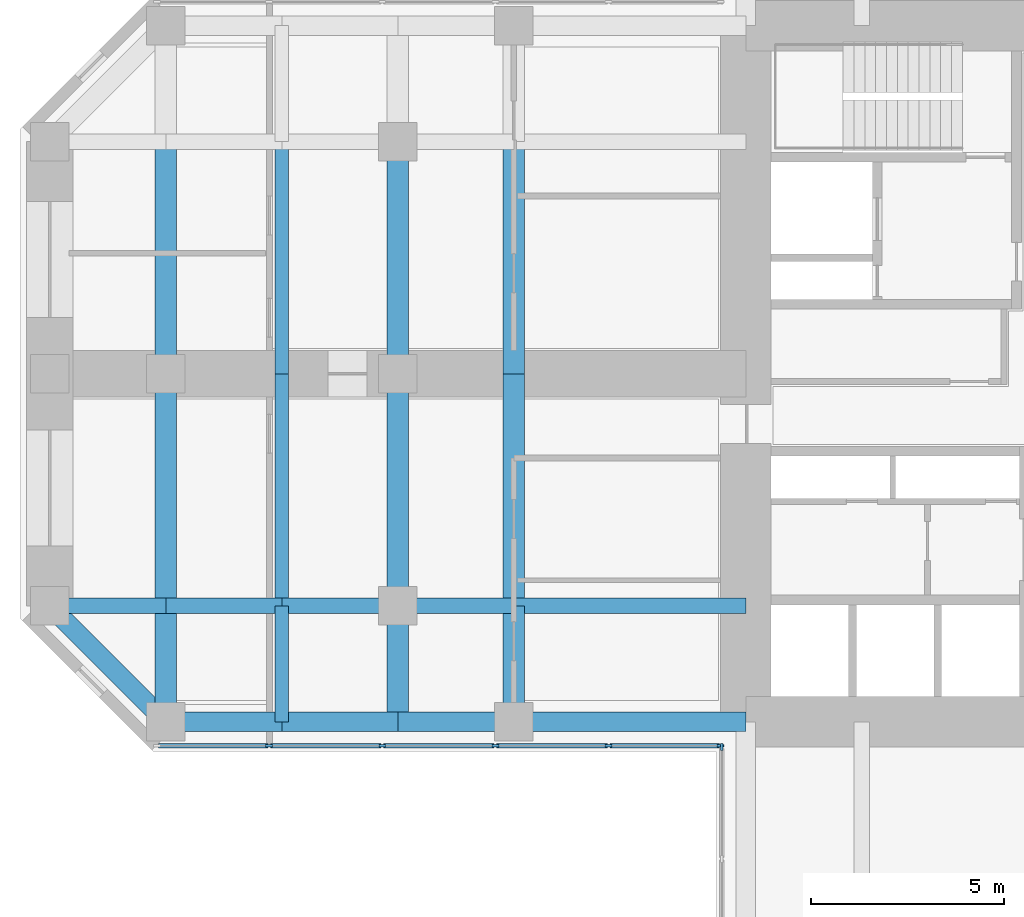
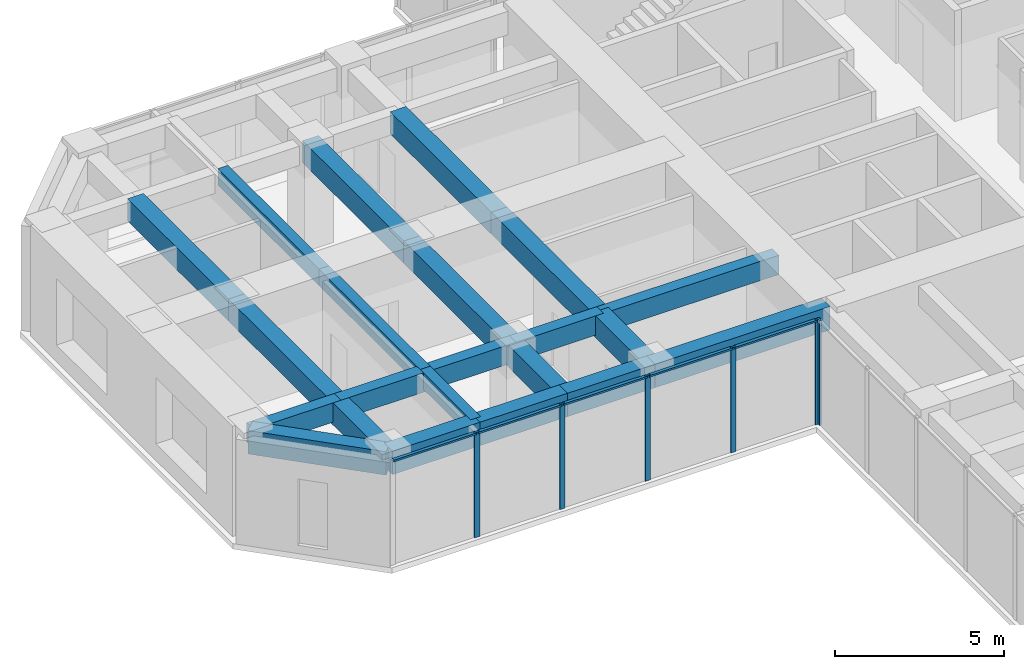
# One storey, part 3 of 13: 22 beams, 11 members, 2 elements without a shape of their own.
"""IFC4 building model written with IfcOpenShell, lengths in metres."""

import ifcopenshell
import ifcopenshell.guid

model = None  # the IFC model being written
_history = None  # IfcOwnerHistory: only IFC2X3 demands one
_inside = {}  # id of a spatial element -> (the spatial element, [elements in it])
_under = {}  # id of a project, library or spatial element -> (it, [spatial elements below it])
_declared = {}  # id of a project -> (the project, [libraries it declares])
_typed = {}  # id of a type object -> (the type object, [elements of that type])
_made_of = {}  # id of a material, layer set ... -> (it, [elements and type objects made of it])


def new_model(schema):
    """Start an empty IFC model of exactly this schema.

    Asked for "IFC4X3", IfcOpenShell would pick the latest addendum, in which some entities
    have other attributes; the version numbers below select the first issue.
    IFC2X3 requires an IfcOwnerHistory on every rooted entity: one is made here for all.
    """
    global model, _history
    if schema == "IFC4X3":
        model = ifcopenshell.file(schema_version=(4, 3, 0, 0))
    else:
        model = ifcopenshell.file(schema=schema)
    _inside.clear()
    _under.clear()
    _declared.clear()
    _typed.clear()
    _made_of.clear()
    _history = None
    if model.schema == "IFC2X3":
        org = make("IfcOrganization", Name="unknown")
        user = make(
            "IfcPersonAndOrganization",
            ThePerson=make("IfcPerson", FamilyName="unknown"),
            TheOrganization=org,
        )
        app = make(
            "IfcApplication",
            ApplicationDeveloper=org,
            Version="unknown",
            ApplicationFullName="unknown",
            ApplicationIdentifier="unknown",
        )
        _history = make(
            "IfcOwnerHistory",
            OwningUser=user,
            OwningApplication=app,
            ChangeAction="ADDED",
            CreationDate=0,
        )
    return model


def make(cls, **values):
    """One entity of the class cls with the attributes given. An attribute that is None is left unset."""
    return model.create_entity(
        cls, **{name: value for name, value in values.items() if value is not None}
    )


def rooted(cls, **values):
    """An entity with a GlobalId (a new one), such as an element, a storey or a relation."""
    return make(cls, GlobalId=ifcopenshell.guid.new(), OwnerHistory=_history, **values)


def si_unit(unit_type, name, prefix=None):
    """IfcSIUnit, for example si_unit("LENGTHUNIT", "METRE", prefix="MILLI")."""
    return make("IfcSIUnit", UnitType=unit_type, Prefix=prefix, Name=name)


def assignment(units):
    """IfcUnitAssignment: the units of a project."""
    return None if units is None else make("IfcUnitAssignment", Units=units)


def point(xyz):
    """IfcCartesianPoint."""
    return None if xyz is None else make("IfcCartesianPoint", Coordinates=xyz)


def direction(xyz):
    """IfcDirection."""
    return None if xyz is None else make("IfcDirection", DirectionRatios=xyz)


def frame(location, z_axis=None, x_axis=None):
    """IfcAxis2Placement3D, a coordinate frame: its origin and axes. An axis left out is left unset."""
    return make(
        "IfcAxis2Placement3D",
        Location=point(location),
        Axis=direction(z_axis),
        RefDirection=direction(x_axis),
    )


def frame_2d(location, x_axis=None):
    """IfcAxis2Placement2D, a coordinate frame in the plane: its origin and x axis."""
    return make(
        "IfcAxis2Placement2D", Location=point(location), RefDirection=direction(x_axis)
    )


def origin():
    """The frame at (0, 0, 0) with its axes left unset."""
    return frame((0.0, 0.0, 0.0))


def origin_2d():
    """The frame at (0, 0) in the plane with its x axis left unset."""
    return frame_2d((0.0, 0.0))


def place(relative_to, where):
    """IfcLocalPlacement: puts the frame where relative to a parent placement (None: the world)."""
    return make(
        "IfcLocalPlacement", PlacementRelTo=relative_to, RelativePlacement=where
    )


def context(
    kind, dimensions, precision=None, world=None, true_north=None, identifier=None
):
    """IfcGeometricRepresentationContext, for example the 3D "Model" context."""
    return make(
        "IfcGeometricRepresentationContext",
        ContextIdentifier=identifier,
        ContextType=kind,
        CoordinateSpaceDimension=dimensions,
        Precision=precision,
        WorldCoordinateSystem=world,
        TrueNorth=true_north,
    )


def subcontext(parent, identifier, kind, view, scale=None):
    """IfcGeometricRepresentationSubContext, for example "Body" below "Model"."""
    return make(
        "IfcGeometricRepresentationSubContext",
        ContextIdentifier=identifier,
        ContextType=kind,
        ParentContext=parent,
        TargetScale=scale,
        TargetView=view,
    )


def project(units=None, contexts=None):
    """IfcProject with its units and contexts."""
    return rooted(
        "IfcProject",
        Name="project",
        RepresentationContexts=contexts,
        UnitsInContext=assignment(units),
    )


def spatial(cls, under=None, at=None, **own):
    """A site, building, storey or space (cls), placed at a placement, below another one or the project."""
    s = rooted(cls, ObjectPlacement=at, **own)
    if under is not None:
        _under.setdefault(under.id(), (under, []))[1].append(s)
    return s


def profile(cls, at=None, kind="AREA", **sizes):
    """A parametric profile (cls). Its sizes go by their IFC names, for example OverallWidth=200.0."""
    return make(cls, ProfileType=kind, Position=at, **sizes)


def rectangle(**sizes):
    """IfcRectangleProfileDef."""
    return profile("IfcRectangleProfileDef", **sizes)


def extrude(swept, where, along, depth):
    """IfcExtrudedAreaSolid: the profile swept, set in the frame where, extruded along a direction by depth."""
    return make(
        "IfcExtrudedAreaSolid",
        SweptArea=swept,
        Position=where,
        ExtrudedDirection=direction(along),
        Depth=depth,
    )


def shape(context_of_items, identifier, shape_type, items):
    """IfcShapeRepresentation: the items that make up one representation, for example the "Body"."""
    return make(
        "IfcShapeRepresentation",
        ContextOfItems=context_of_items,
        RepresentationIdentifier=identifier,
        RepresentationType=shape_type,
        Items=items,
    )


def material(Name=None, Category=None):
    """IfcMaterial."""
    return make("IfcMaterial", Name=Name, Category=Category)


def material_profile(
    of_material, cross_section, Name=None, Category=None, Priority=None
):
    """IfcMaterialProfile: a cross section and its material."""
    return make(
        "IfcMaterialProfile",
        Name=Name,
        Material=of_material,
        Profile=cross_section,
        Priority=Priority,
        Category=Category,
    )


def profile_set(profiles, Name=None, composite=None):
    """IfcMaterialProfileSet."""
    return make(
        "IfcMaterialProfileSet",
        Name=Name,
        MaterialProfiles=profiles,
        CompositeProfile=composite,
    )


def made_of(thing, what):
    """Note that an element or type object is made of a material, layer set ...; save() writes the relation."""
    if what is not None:
        _made_of.setdefault(what.id(), (what, []))[1].append(thing)
    return thing


def type_object(cls, material=None, **own):
    """A type object (cls), such as IfcWallType, which elements share."""
    return made_of(rooted(cls, **own), material)


def element(
    cls,
    number,
    at=None,
    inside=None,
    cuts=None,
    type_object=None,
    material=None,
    context=None,
    identifier="Body",
    shape_type=None,
    held_by="IfcProductDefinitionShape",
    body=None,
    shapes=None,
    **own,
):
    """One element of the class cls, such as IfcWall. Its Tag is "e" and its number.

    at: its placement. inside: the storey or other place that contains it. cuts: it is an
    opening in that element (IfcRelVoidsElement). A single representation is given by context,
    identifier, shape_type and body (its items); several are given by shapes. held_by: the class
    of the entity that holds the representations. save() writes the other relations.
    """
    e = rooted(cls, Tag="e%d" % number, ObjectPlacement=at, **own)
    if body is not None:
        shapes = [shape(context, identifier, shape_type, body)]
    if shapes is not None:
        e.Representation = make(held_by, Representations=shapes)
    if inside is not None:
        _inside.setdefault(inside.id(), (inside, []))[1].append(e)
    if cuts is not None:
        rooted(
            "IfcRelVoidsElement", RelatingBuildingElement=cuts, RelatedOpeningElement=e
        )
    if type_object is not None:
        _typed.setdefault(type_object.id(), (type_object, []))[1].append(e)
    return made_of(e, material)


def aggregate(whole, parts):
    """IfcRelAggregates: a whole, such as a stair, and the parts it consists of."""
    return rooted("IfcRelAggregates", RelatingObject=whole, RelatedObjects=parts)


def save(model, path):
    """Write the relations noted so far, then the file.

    IfcRelAggregates (storeys below a building ...), IfcRelContainedInSpatialStructure (elements
    in a storey), IfcRelDefinesByType, IfcRelAssociatesMaterial and IfcRelDeclares: one each for
    every whole, place, type object, material and project.
    """
    for whole, parts in _under.values():
        aggregate(whole, parts)
    for where, things in _inside.values():
        rooted(
            "IfcRelContainedInSpatialStructure",
            RelatedElements=things,
            RelatingStructure=where,
        )
    for kind, things in _typed.values():
        rooted("IfcRelDefinesByType", RelatedObjects=things, RelatingType=kind)
    for what, things in _made_of.values():
        rooted("IfcRelAssociatesMaterial", RelatedObjects=things, RelatingMaterial=what)
    for by, libraries in _declared.values():
        rooted("IfcRelDeclares", RelatingContext=by, RelatedDefinitions=libraries)
    model.write(path)


model = new_model("IFC4")

# Units and contexts
model_context = context("Model", 3, precision=1e-05, world=origin(), true_north=direction((0.0, 1.0)))
body_context = subcontext(model_context, "Body", "Model", "MODEL_VIEW")
ifc_project = project(units=[si_unit("LENGTHUNIT", "METRE"), si_unit("AREAUNIT", "SQUARE_METRE"), si_unit("VOLUMEUNIT", "CUBIC_METRE"), si_unit("PLANEANGLEUNIT", "RADIAN"), si_unit("MASSUNIT", "GRAM", prefix="KILO")], contexts=[model_context])

# Site, building, storey
site_placement = place(None, origin())
site = spatial("IfcSite", under=ifc_project, at=site_placement, CompositionType="ELEMENT")
building_placement = place(site_placement, origin())
building = spatial("IfcBuilding", under=site, at=building_placement, Name="Torre Cruceta", CompositionType="ELEMENT")
storey_placement = place(building_placement, frame((0.0, 0.0, 132.5)))
storey = spatial("IfcBuildingStorey", under=building, at=storey_placement, Name="L32", CompositionType="ELEMENT", Elevation=132.5)

# Beams
ifc_material_1 = material(Name="Concrete G60 (fck 60 MPa)", Category="concrete")
ifc_material_profile_1 = material_profile(ifc_material_1, rectangle(XDim=0.39990234375, YDim=0.699951171875, at=origin_2d()), Name="RC 400X700")
ifc_profile_set_1 = profile_set([ifc_material_profile_1], Name="Concrete G60 (fck 60 MPa)")
beam_type_1 = type_object("IfcBeamType", Name="COLUMN LINE BEAM RC 400X700", PredefinedType="BEAM", material=ifc_profile_set_1)
beam_1_placement = place(storey_placement, frame((-9.0, -6.0, 3.449951171875), z_axis=(-1.0, 0.0, 0.0), x_axis=(0.0, -1.0, 0.0)))
element("IfcBeam", 1, at=beam_1_placement, inside=storey, type_object=beam_type_1, Name="LB5 L32 W col+ 1", PredefinedType="BEAM", context=body_context, shape_type="SweptSolid", body=[
    extrude(rectangle(XDim=0.39990234375, YDim=0.699951171875, at=origin_2d()), origin(), (0.0, 0.0, 1.0), 6.0),
])
for number, where, z_axis, x_axis, name in (
    (2, (-15.0, -6.0, 3.449951171875), (-1.0, 0.0, 0.0), (0.0, -1.0, 0.0), "LB5 L32 W col+ 2"),
    (3, (-18.0, -6.0, 3.449951171875), (-1.0, 0.0, 0.0), (0.0, -1.0, 0.0), "LB5 L32 W col+ 3"),
    (4, (-21.0, -6.0, 3.449951171875), (-1.0, 0.0, 0.0), (0.0, -1.0, 0.0), "LB5 L32 W col+ 4"),
    (5, (-24.0, -6.0, 3.449951171875), (-1.0, 0.0, 0.0), (0.0, -1.0, 0.0), "LB5 L32 W col+ 5"),
):
    element("IfcBeam", number, at=place(storey_placement, frame(where, z_axis=z_axis, x_axis=x_axis)), inside=storey, type_object=beam_type_1, Name=name, PredefinedType="BEAM", context=body_context, shape_type="SweptSolid", body=[
        extrude(rectangle(XDim=0.39990234375, YDim=0.699951171875, at=origin_2d()), origin(), (0.0, 0.0, 1.0), 3.0),
    ])
ifc_material_2 = material(Name="Concrete G60 (fck 60 MPa)", Category="concrete")
ifc_material_profile_2 = material_profile(ifc_material_2, rectangle(XDim=0.550048828125, YDim=0.800048828125, at=origin_2d()), Name="RC 550X800")
ifc_profile_set_2 = profile_set([ifc_material_profile_2], Name="Concrete G60 (fck 60 MPa)")
beam_type_2 = type_object("IfcBeamType", Name="CROSS BEAM RC 550X800", PredefinedType="BEAM", material=ifc_profile_set_2)
for number, where, z_axis, x_axis, name in (
    (6, (-15.0, 6.0, 3.39990234375), (0.0, -1.0, 0.0), (1.0, 0.0, 0.0), "GB5 L32 W cross15 2"),
    (7, (-15.0, 0.0, 3.39990234375), (0.0, -1.0, 0.0), (1.0, 0.0, 0.0), "GB5 L32 W cross15 3"),
):
    element("IfcBeam", number, at=place(storey_placement, frame(where, z_axis=z_axis, x_axis=x_axis)), inside=storey, type_object=beam_type_2, Name=name, PredefinedType="BEAM", context=body_context, shape_type="SweptSolid", body=[
        extrude(rectangle(XDim=0.550048828125, YDim=0.800048828125, at=origin_2d()), origin(), (0.0, 0.0, 1.0), 6.0),
    ])
beam_2_placement = place(storey_placement, frame((-15.0, -6.0, 3.39990234375), z_axis=(0.0, -1.0, 0.0), x_axis=(1.0, 0.0, 0.0)))
element("IfcBeam", 8, at=beam_2_placement, inside=storey, type_object=beam_type_2, Name="GB5 L32 W cross15 4", PredefinedType="BEAM", context=body_context, shape_type="SweptSolid", body=[
    extrude(rectangle(XDim=0.550048828125, YDim=0.800048828125, at=origin_2d()), origin(), (0.0, 0.0, 1.0), 3.0),
])
for number, where, z_axis, x_axis, name in (
    (9, (-18.0, 6.0, 3.39990234375), (0.0, -1.0, 0.0), (1.0, 0.0, 0.0), "GB5 L32 W cross18 2"),
    (10, (-18.0, 0.0, 3.39990234375), (0.0, -1.0, 0.0), (1.0, 0.0, 0.0), "GB5 L32 W cross18 3"),
):
    element("IfcBeam", number, at=place(storey_placement, frame(where, z_axis=z_axis, x_axis=x_axis)), inside=storey, type_object=beam_type_2, Name=name, PredefinedType="BEAM", context=body_context, shape_type="SweptSolid", body=[
        extrude(rectangle(XDim=0.550048828125, YDim=0.800048828125, at=origin_2d()), origin(), (0.0, 0.0, 1.0), 6.0),
    ])
beam_3_placement = place(storey_placement, frame((-18.0, -6.0, 3.39990234375), z_axis=(0.0, -1.0, 0.0), x_axis=(1.0, 0.0, 0.0)))
element("IfcBeam", 11, at=beam_3_placement, inside=storey, type_object=beam_type_2, Name="GB5 L32 W cross18 4", PredefinedType="BEAM", context=body_context, shape_type="SweptSolid", body=[
    extrude(rectangle(XDim=0.550048828125, YDim=0.800048828125, at=origin_2d()), origin(), (0.0, 0.0, 1.0), 3.0),
])
for number, where, z_axis, x_axis, name in (
    (12, (-24.0, 6.0, 3.39990234375), (0.0, -1.0, 0.0), (1.0, 0.0, 0.0), "GB5 L32 W cross24 2"),
    (13, (-24.0, 0.0, 3.39990234375), (0.0, -1.0, 0.0), (1.0, 0.0, 0.0), "GB5 L32 W cross24 3"),
):
    element("IfcBeam", number, at=place(storey_placement, frame(where, z_axis=z_axis, x_axis=x_axis)), inside=storey, type_object=beam_type_2, Name=name, PredefinedType="BEAM", context=body_context, shape_type="SweptSolid", body=[
        extrude(rectangle(XDim=0.550048828125, YDim=0.800048828125, at=origin_2d()), origin(), (0.0, 0.0, 1.0), 6.0),
    ])
beam_4_placement = place(storey_placement, frame((-24.0, -6.0, 3.39990234375), z_axis=(0.0, -1.0, 0.0), x_axis=(1.0, 0.0, 0.0)))
element("IfcBeam", 14, at=beam_4_placement, inside=storey, type_object=beam_type_2, Name="GB5 L32 W cross24 4", PredefinedType="BEAM", context=body_context, shape_type="SweptSolid", body=[
    extrude(rectangle(XDim=0.550048828125, YDim=0.800048828125, at=origin_2d()), origin(), (0.0, 0.0, 1.0), 3.0),
])

# Curtain wall, members
ifc_material_3 = material(Name="Aluminium unitised curtain wall", Category="aluminium")
curtain_wall_type = type_object("IfcCurtainWallType", Name="CURTAIN WALL CW-B OFFICE MID RISE", PredefinedType="USERDEFINED", material=ifc_material_3)
curtain_wall_1_placement = place(storey_placement, origin())
curtain_wall_1 = element("IfcCurtainWall", 15, at=curtain_wall_1_placement, inside=storey, type_object=curtain_wall_type, Name="CW-B L32 W side 14", ObjectType="UNITISED", PredefinedType="USERDEFINED")
ifc_material_4 = material(Name="Aluminium mullion", Category="aluminium")
ifc_material_profile_3 = material_profile(ifc_material_4, rectangle(XDim=0.06494140625, YDim=0.179931640625, at=origin_2d()), Name="AL 65X180")
ifc_profile_set_3 = profile_set([ifc_material_profile_3], Name="Aluminium mullion")
member_type_1 = type_object("IfcMemberType", Name="CW-B MULLION 65X180", PredefinedType="MULLION", material=ifc_profile_set_3)
member_1_placement = place(storey_placement, frame((-21.329345703125, -9.6201171875, 0.0), z_axis=(0.0, 0.0, 1.0), x_axis=(0.0, 1.0, 0.0)))
member_1 = element("IfcMember", 16, at=member_1_placement, type_object=member_type_1, Name="CW-B mullion 2", PredefinedType="MULLION", context=body_context, shape_type="SweptSolid", body=[
    extrude(rectangle(XDim=0.06494140625, YDim=0.179931640625, at=origin_2d()), origin(), (0.0, 0.0, 1.0), 3.800048828125),
])
member_2_placement = place(storey_placement, frame((-18.402099609375, -9.6201171875, 0.0), z_axis=(0.0, 0.0, 1.0), x_axis=(0.0, 1.0, 0.0)))
member_2 = element("IfcMember", 17, at=member_2_placement, type_object=member_type_1, Name="CW-B mullion 3", PredefinedType="MULLION", context=body_context, shape_type="SweptSolid", body=[
    extrude(rectangle(XDim=0.06494140625, YDim=0.179931640625, at=origin_2d()), origin(), (0.0, 0.0, 1.0), 3.800048828125),
])
member_3_placement = place(storey_placement, frame((-15.474609375, -9.6201171875, 0.0), z_axis=(0.0, 0.0, 1.0), x_axis=(0.0, 1.0, 0.0)))
member_3 = element("IfcMember", 18, at=member_3_placement, type_object=member_type_1, Name="CW-B mullion 4", PredefinedType="MULLION", context=body_context, shape_type="SweptSolid", body=[
    extrude(rectangle(XDim=0.06494140625, YDim=0.179931640625, at=origin_2d()), origin(), (0.0, 0.0, 1.0), 3.800048828125),
])
member_4_placement = place(storey_placement, frame((-12.54736328125, -9.6201171875, 0.0), z_axis=(0.0, 0.0, 1.0), x_axis=(0.0, 1.0, 0.0)))
member_4 = element("IfcMember", 19, at=member_4_placement, type_object=member_type_1, Name="CW-B mullion 5", PredefinedType="MULLION", context=body_context, shape_type="SweptSolid", body=[
    extrude(rectangle(XDim=0.06494140625, YDim=0.179931640625, at=origin_2d()), origin(), (0.0, 0.0, 1.0), 3.800048828125),
])
member_5_placement = place(storey_placement, frame((-9.652587890625, -9.6201171875, 0.0), z_axis=(0.0, 0.0, 1.0), x_axis=(0.0, 1.0, 0.0)))
member_5 = element("IfcMember", 20, at=member_5_placement, type_object=member_type_1, Name="CW-B mullion 6", PredefinedType="MULLION", context=body_context, shape_type="SweptSolid", body=[
    extrude(rectangle(XDim=0.06494140625, YDim=0.179931640625, at=origin_2d()), origin(), (0.0, 0.0, 1.0), 3.800048828125),
])

# Curtain wall, member
curtain_wall_2_placement = place(storey_placement, origin())
curtain_wall_2 = element("IfcCurtainWall", 21, at=curtain_wall_2_placement, inside=storey, type_object=curtain_wall_type, Name="CW-B L32 S side 15", ObjectType="UNITISED", PredefinedType="USERDEFINED")
member_6_placement = place(storey_placement, frame((-9.6201171875, -9.652587890625, 0.0), z_axis=(0.0, 0.0, 1.0), x_axis=(1.0, 0.0, 0.0)))
member_6 = element("IfcMember", 22, at=member_6_placement, type_object=member_type_1, Name="CW-B mullion 1", PredefinedType="MULLION", context=body_context, shape_type="SweptSolid", body=[
    extrude(rectangle(XDim=0.06494140625, YDim=0.179931640625, at=origin_2d()), origin(), (0.0, 0.0, 1.0), 3.800048828125),
])
aggregate(curtain_wall_2, [member_6])

# Member
ifc_material_5 = material(Name="Aluminium transom", Category="aluminium")
ifc_material_profile_4 = material_profile(ifc_material_5, rectangle(XDim=0.110107421875, YDim=0.06494140625, at=origin_2d()), Name="AL 110X65")
ifc_profile_set_4 = profile_set([ifc_material_profile_4], Name="Aluminium transom")
member_type_2 = type_object("IfcMemberType", Name="CW-B TRANSOM 65X110", PredefinedType="USERDEFINED", material=ifc_profile_set_4)
member_7_placement = place(storey_placement, frame((-24.19189453125, -9.6201171875, 3.767578125), z_axis=(1.0, 0.0, 0.0), x_axis=(0.0, 1.0, 0.0)))
member_7 = element("IfcMember", 23, at=member_7_placement, type_object=member_type_2, Name="CW-B transom 1", ObjectType="TRANSOM", PredefinedType="USERDEFINED", context=body_context, shape_type="SweptSolid", body=[
    extrude(rectangle(XDim=0.110107421875, YDim=0.06494140625, at=origin_2d()), origin(), (0.0, 0.0, 1.0), 2.829833984375),
])

member_8_placement = place(storey_placement, frame((-21.296875, -9.6201171875, 3.767578125), z_axis=(1.0, 0.0, 0.0), x_axis=(0.0, 1.0, 0.0)))
member_8 = element("IfcMember", 24, at=member_8_placement, type_object=member_type_2, Name="CW-B transom 2", ObjectType="TRANSOM", PredefinedType="USERDEFINED", context=body_context, shape_type="SweptSolid", body=[
    extrude(rectangle(XDim=0.110107421875, YDim=0.06494140625, at=origin_2d()), origin(), (0.0, 0.0, 1.0), 2.8623046875),
])

member_9_placement = place(storey_placement, frame((-18.36962890625, -9.6201171875, 3.767578125), z_axis=(1.0, 0.0, 0.0), x_axis=(0.0, 1.0, 0.0)))
member_9 = element("IfcMember", 25, at=member_9_placement, type_object=member_type_2, Name="CW-B transom 3", ObjectType="TRANSOM", PredefinedType="USERDEFINED", context=body_context, shape_type="SweptSolid", body=[
    extrude(rectangle(XDim=0.110107421875, YDim=0.06494140625, at=origin_2d()), origin(), (0.0, 0.0, 1.0), 2.8623046875),
])

member_10_placement = place(storey_placement, frame((-15.442138671875, -9.6201171875, 3.767578125), z_axis=(1.0, 0.0, 0.0), x_axis=(0.0, 1.0, 0.0)))
member_10 = element("IfcMember", 26, at=member_10_placement, type_object=member_type_2, Name="CW-B transom 4", ObjectType="TRANSOM", PredefinedType="USERDEFINED", context=body_context, shape_type="SweptSolid", body=[
    extrude(rectangle(XDim=0.110107421875, YDim=0.06494140625, at=origin_2d()), origin(), (0.0, 0.0, 1.0), 2.8623046875),
])

member_11_placement = place(storey_placement, frame((-12.514892578125, -9.6201171875, 3.767578125), z_axis=(1.0, 0.0, 0.0), x_axis=(0.0, 1.0, 0.0)))
member_11 = element("IfcMember", 27, at=member_11_placement, type_object=member_type_2, Name="CW-B transom 5", ObjectType="TRANSOM", PredefinedType="USERDEFINED", context=body_context, shape_type="SweptSolid", body=[
    extrude(rectangle(XDim=0.110107421875, YDim=0.06494140625, at=origin_2d()), origin(), (0.0, 0.0, 1.0), 2.829833984375),
])

aggregate(curtain_wall_1, [member_1, member_2, member_3, member_4, member_5, member_7, member_8, member_9, member_10, member_11])

# Beams
ifc_material_6 = material(Name="Concrete G60 (fck 60 MPa)", Category="concrete")
ifc_material_profile_5 = material_profile(ifc_material_6, rectangle(XDim=0.35009765625, YDim=0.60009765625, at=origin_2d()), Name="RC 350X600")
ifc_profile_set_5 = profile_set([ifc_material_profile_5], Name="Concrete G60 (fck 60 MPa)")
beam_type_3 = type_object("IfcBeamType", Name="SECONDARY BEAM RC 350X600", PredefinedType="JOIST", material=ifc_profile_set_5)
for number, where, z_axis, x_axis, name in (
    (28, (-21.0, 6.0, 3.5), (0.0, -1.0, 0.0), (1.0, 0.0, 0.0), "JB5 L32 W sec21 2"),
    (29, (-21.0, 0.0, 3.5), (0.0, -1.0, 0.0), (1.0, 0.0, 0.0), "JB5 L32 W sec21 3"),
):
    element("IfcBeam", number, at=place(storey_placement, frame(where, z_axis=z_axis, x_axis=x_axis)), inside=storey, type_object=beam_type_3, Name=name, PredefinedType="JOIST", context=body_context, shape_type="SweptSolid", body=[
        extrude(rectangle(XDim=0.35009765625, YDim=0.60009765625, at=origin_2d()), origin(), (0.0, 0.0, 1.0), 6.0),
    ])
beam_5_placement = place(storey_placement, frame((-21.0, -6.0, 3.5), z_axis=(0.0, -1.0, 0.0), x_axis=(1.0, 0.0, 0.0)))
element("IfcBeam", 30, at=beam_5_placement, inside=storey, type_object=beam_type_3, Name="JB5 L32 W sec21 4", PredefinedType="JOIST", context=body_context, shape_type="SweptSolid", body=[
    extrude(rectangle(XDim=0.35009765625, YDim=0.60009765625, at=origin_2d()), origin(), (0.0, 0.0, 1.0), 3.0),
])
ifc_material_7 = material(Name="Concrete G60 (fck 60 MPa)", Category="concrete")
ifc_material_profile_6 = material_profile(ifc_material_7, rectangle(XDim=0.5, YDim=0.85009765625, at=origin_2d()), Name="RC 500X850")
ifc_profile_set_6 = profile_set([ifc_material_profile_6], Name="Concrete G60 (fck 60 MPa)")
beam_type_4 = type_object("IfcBeamType", Name="SPANDREL BEAM RC 500X850", PredefinedType="SPANDREL", material=ifc_profile_set_6)
beam_6_placement = place(storey_placement, frame((-9.0, -9.0, 3.375), z_axis=(-1.0, 0.0, 0.0), x_axis=(0.0, -1.0, 0.0)))
element("IfcBeam", 31, at=beam_6_placement, inside=storey, type_object=beam_type_4, Name="SB5 L32 W side+ 1", PredefinedType="SPANDREL", context=body_context, shape_type="SweptSolid", body=[
    extrude(rectangle(XDim=0.5, YDim=0.85009765625, at=origin_2d()), origin(), (0.0, 0.0, 1.0), 6.0),
])
for number, where, z_axis, x_axis, name in (
    (32, (-15.0, -9.0, 3.375), (-1.0, 0.0, 0.0), (0.0, -1.0, 0.0), "SB5 L32 W side+ 2"),
    (33, (-18.0, -9.0, 3.375), (-1.0, 0.0, 0.0), (0.0, -1.0, 0.0), "SB5 L32 W side+ 3"),
    (34, (-21.0, -9.0, 3.375), (-1.0, 0.0, 0.0), (0.0, -1.0, 0.0), "SB5 L32 W side+ 4"),
):
    element("IfcBeam", number, at=place(storey_placement, frame(where, z_axis=z_axis, x_axis=x_axis)), inside=storey, type_object=beam_type_4, Name=name, PredefinedType="SPANDREL", context=body_context, shape_type="SweptSolid", body=[
        extrude(rectangle(XDim=0.5, YDim=0.85009765625, at=origin_2d()), origin(), (0.0, 0.0, 1.0), 3.0),
    ])
beam_7_placement = place(storey_placement, frame((-24.0, -9.0, 3.375), z_axis=(-0.707106781187, 0.707106781187, 0.0), x_axis=(-0.707106781187, -0.707106781187, 0.0)))
element("IfcBeam", 35, at=beam_7_placement, inside=storey, type_object=beam_type_4, Name="SB5 L32 W side+ 5", PredefinedType="SPANDREL", context=body_context, shape_type="SweptSolid", body=[
    extrude(rectangle(XDim=0.5, YDim=0.85009765625, at=origin_2d()), origin(), (0.0, 0.0, 1.0), 4.24267578125),
])

save(model, "model.ifc")
